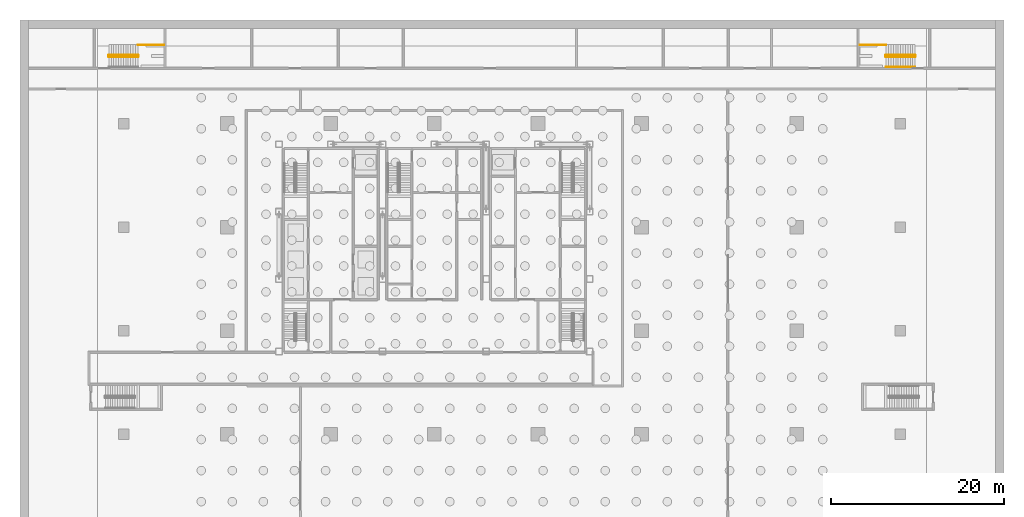
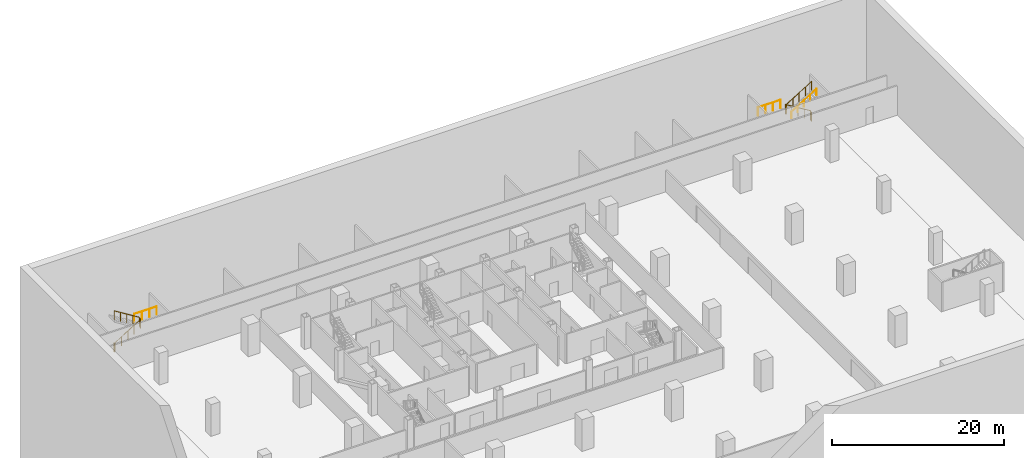
# One storey, part 17 of 18: 5 railings.
"""IFC4 building model written with IfcOpenShell, lengths in metres."""

from ifc_helpers import new_model, si_unit, direction, frame, origin, origin_2d, place, context, subcontext, project, spatial, circle, extrude, material, type_object, element, save


model = new_model("IFC4")

# Units and contexts
model_context = context("Model", 3, precision=1e-05, world=origin(), true_north=direction((0.0, 1.0)))
body_context = subcontext(model_context, "Body", "Model", "MODEL_VIEW")
ifc_project = project(units=[si_unit("LENGTHUNIT", "METRE"), si_unit("AREAUNIT", "SQUARE_METRE"), si_unit("VOLUMEUNIT", "CUBIC_METRE"), si_unit("PLANEANGLEUNIT", "RADIAN"), si_unit("MASSUNIT", "GRAM", prefix="KILO")], contexts=[model_context])

# Site, building, storey
site_placement = place(None, origin())
site = spatial("IfcSite", under=ifc_project, at=site_placement, CompositionType="ELEMENT")
building_placement = place(site_placement, origin())
building = spatial("IfcBuilding", under=site, at=building_placement, Name="Sorahane Residences", CompositionType="ELEMENT")
storey_placement = place(building_placement, frame((0.0, 0.0, -13.5)))
storey = spatial("IfcBuildingStorey", under=building, at=storey_placement, Name="B3", CompositionType="ELEMENT", Elevation=-13.5)

# Railings
ifc_material_1 = material(Name="Steel Q355B", Category="steel")
railing_type_1 = type_object("IfcRailingType", Name="Stair guard 1200 Steel Q355B", PredefinedType="GUARDRAIL", material=ifc_material_1)
railing_1_placement = place(storey_placement, frame((-13.75, 55.89990234375, 0.0)))
element("IfcRailing", 1, at=railing_1_placement, inside=storey, type_object=railing_type_1, Name="B3 BS1 stair guard 1", PredefinedType="GUARDRAIL", context=body_context, shape_type="SweptSolid", body=[
    extrude(circle(Radius=0.02392578125, at=origin_2d()), frame((0.0, 0.0, 1.23583984375), z_axis=(0.0, -1.0, 0.0), x_axis=(1.0, 0.0, 0.0)), (0.0, 0.0, 1.0), 0.14990234375),
    extrude(circle(Radius=0.02392578125, at=origin_2d()), frame((0.0, -0.14990234375, 1.23583984375), z_axis=(0.267629722418, -0.267629722418, 0.925607186314), x_axis=(0.707106781187, 0.707106781187, 0.0)), (0.0, 0.0, 1.0), 0.18701171875),
    extrude(circle(Radius=0.02392578125, at=origin_2d()), frame((0.050048828125, -0.199951171875, 1.4091796875), z_axis=(0.850606129759, 0.0, 0.525803396734), x_axis=(0.0, 1.0, 0.0)), (0.0, 0.0, 1.0), 3.949951171875),
    extrude(circle(Radius=0.02392578125, at=origin_2d()), frame((3.409912109375, -0.199951171875, 3.48583984375), z_axis=(0.707106781187, 0.707106781187, 0.0), x_axis=(-0.707106781187, 0.707106781187, 0.0)), (0.0, 0.0, 1.0), 0.07080078125),
    extrude(circle(Radius=0.02392578125, at=origin_2d()), frame((3.4599609375, -0.14990234375, 3.48583984375), z_axis=(0.0, 1.0, 0.0), x_axis=(-1.0, 0.0, 0.0)), (0.0, 0.0, 1.0), 0.14990234375),
    extrude(circle(Radius=0.02392578125, at=origin_2d()), frame((3.4599609375, 0.0, 3.48583984375), z_axis=(-0.267629722418, 0.267629722418, 0.925607186314), x_axis=(-0.707106781187, -0.707106781187, 0.0)), (0.0, 0.0, 1.0), 0.18701171875),
    extrude(circle(Radius=0.02392578125, at=origin_2d()), frame((3.409912109375, 0.050048828125, 3.6591796875), z_axis=(-0.850606129759, 0.0, 0.525803396734), x_axis=(0.0, -1.0, 0.0)), (0.0, 0.0, 1.0), 3.949951171875),
    extrude(circle(Radius=0.02099609375, at=origin_2d()), origin(), (0.0, 0.0, 1.0), 1.2119140625),
    extrude(circle(Radius=0.02099609375, at=origin_2d()), frame((0.0, -0.14990234375, 0.0)), (0.0, 0.0, 1.0), 1.2119140625),
    extrude(circle(Radius=0.02099609375, at=origin_2d()), frame((0.050048828125, -0.199951171875, 0.173095703125)), (0.0, 0.0, 1.0), 1.2119140625),
    extrude(circle(Radius=0.02099609375, at=origin_2d()), frame((0.89013671875, -0.199951171875, 0.6923828125)), (0.0, 0.0, 1.0), 1.2119140625),
    extrude(circle(Radius=0.02099609375, at=origin_2d()), frame((1.72998046875, -0.199951171875, 1.21142578125)), (0.0, 0.0, 1.0), 1.2119140625),
    extrude(circle(Radius=0.02099609375, at=origin_2d()), frame((2.56982421875, -0.199951171875, 1.730712890625)), (0.0, 0.0, 1.0), 1.2119140625),
    extrude(circle(Radius=0.02099609375, at=origin_2d()), frame((3.409912109375, -0.199951171875, 2.25)), (0.0, 0.0, 1.0), 1.2119140625),
    extrude(circle(Radius=0.02099609375, at=origin_2d()), frame((3.4599609375, -0.14990234375, 2.25)), (0.0, 0.0, 1.0), 1.2119140625),
    extrude(circle(Radius=0.02099609375, at=origin_2d()), frame((3.4599609375, 0.0, 2.25)), (0.0, 0.0, 1.0), 1.2119140625),
    extrude(circle(Radius=0.02099609375, at=origin_2d()), frame((3.409912109375, 0.050048828125, 2.423095703125)), (0.0, 0.0, 1.0), 1.2119140625),
    extrude(circle(Radius=0.02099609375, at=origin_2d()), frame((2.56982421875, 0.050048828125, 2.9423828125)), (0.0, 0.0, 1.0), 1.2119140625),
    extrude(circle(Radius=0.02099609375, at=origin_2d()), frame((1.72998046875, 0.050048828125, 3.46142578125)), (0.0, 0.0, 1.0), 1.2119140625),
    extrude(circle(Radius=0.02099609375, at=origin_2d()), frame((0.89013671875, 0.050048828125, 3.980712890625)), (0.0, 0.0, 1.0), 1.2119140625),
    extrude(circle(Radius=0.02099609375, at=origin_2d()), frame((0.050048828125, 0.050048828125, 4.5)), (0.0, 0.0, 1.0), 1.2119140625),
])
railing_2_placement = place(storey_placement, frame((-10.340087890625, 57.10009765625, 2.25)))
element("IfcRailing", 2, at=railing_2_placement, inside=storey, type_object=railing_type_1, Name="B3 Basement stair BS1 guard", PredefinedType="GUARDRAIL", context=body_context, shape_type="SweptSolid", body=[
    extrude(circle(Radius=0.02392578125, at=origin_2d()), frame((0.0, 0.0, 1.17578125), z_axis=(1.0, 0.0, 0.0), x_axis=(0.0, 1.0, 0.0)), (0.0, 0.0, 1.0), 3.0400390625),
    extrude(circle(Radius=0.02099609375, at=origin_2d()), origin(), (0.0, 0.0, 1.0), 1.15185546875),
    extrude(circle(Radius=0.02099609375, at=origin_2d()), frame((1.013427734375, 0.0, 0.0)), (0.0, 0.0, 1.0), 1.15185546875),
    extrude(circle(Radius=0.02099609375, at=origin_2d()), frame((2.026611328125, 0.0, 0.0)), (0.0, 0.0, 1.0), 1.15185546875),
    extrude(circle(Radius=0.02099609375, at=origin_2d()), frame((3.0400390625, 0.0, 0.0)), (0.0, 0.0, 1.0), 1.15185546875),
])
railing_3_placement = place(storey_placement, frame((79.75, 55.75, 0.0)))
element("IfcRailing", 3, at=railing_3_placement, inside=storey, type_object=railing_type_1, Name="B3 BS2 stair guard 1", PredefinedType="GUARDRAIL", context=body_context, shape_type="SweptSolid", body=[
    extrude(circle(Radius=0.02392578125, at=origin_2d()), frame((0.0, 0.0, 1.23583984375), z_axis=(0.0, 1.0, 0.0), x_axis=(-1.0, 0.0, 0.0)), (0.0, 0.0, 1.0), 0.14990234375),
    extrude(circle(Radius=0.02392578125, at=origin_2d()), frame((0.0, 0.14990234375, 1.23583984375), z_axis=(-0.267629722418, 0.267629722418, 0.925607186314), x_axis=(-0.707106781187, -0.707106781187, 0.0)), (0.0, 0.0, 1.0), 0.18701171875),
    extrude(circle(Radius=0.02392578125, at=origin_2d()), frame((-0.050048828125, 0.199951171875, 1.4091796875), z_axis=(-0.850606129759, 0.0, 0.525803396734), x_axis=(0.0, -1.0, 0.0)), (0.0, 0.0, 1.0), 3.949951171875),
    extrude(circle(Radius=0.02392578125, at=origin_2d()), frame((-3.409912109375, 0.199951171875, 3.48583984375), z_axis=(-0.707106781187, -0.707106781187, 0.0), x_axis=(0.707106781187, -0.707106781187, 0.0)), (0.0, 0.0, 1.0), 0.07080078125),
    extrude(circle(Radius=0.02392578125, at=origin_2d()), frame((-3.4599609375, 0.14990234375, 3.48583984375), z_axis=(0.0, -1.0, 0.0), x_axis=(1.0, 0.0, 0.0)), (0.0, 0.0, 1.0), 0.14990234375),
    extrude(circle(Radius=0.02392578125, at=origin_2d()), frame((-3.4599609375, 0.0, 3.48583984375), z_axis=(0.267629722418, -0.267629722418, 0.925607186314), x_axis=(0.707106781187, 0.707106781187, 0.0)), (0.0, 0.0, 1.0), 0.18701171875),
    extrude(circle(Radius=0.02392578125, at=origin_2d()), frame((-3.409912109375, -0.050048828125, 3.6591796875), z_axis=(0.850606129759, 0.0, 0.525803396734), x_axis=(0.0, 1.0, 0.0)), (0.0, 0.0, 1.0), 3.949951171875),
    extrude(circle(Radius=0.02099609375, at=origin_2d()), origin(), (0.0, 0.0, 1.0), 1.2119140625),
    extrude(circle(Radius=0.02099609375, at=origin_2d()), frame((0.0, 0.14990234375, 0.0)), (0.0, 0.0, 1.0), 1.2119140625),
    extrude(circle(Radius=0.02099609375, at=origin_2d()), frame((-0.050048828125, 0.199951171875, 0.173095703125)), (0.0, 0.0, 1.0), 1.2119140625),
    extrude(circle(Radius=0.02099609375, at=origin_2d()), frame((-0.89013671875, 0.199951171875, 0.6923828125)), (0.0, 0.0, 1.0), 1.2119140625),
    extrude(circle(Radius=0.02099609375, at=origin_2d()), frame((-1.72998046875, 0.199951171875, 1.21142578125)), (0.0, 0.0, 1.0), 1.2119140625),
    extrude(circle(Radius=0.02099609375, at=origin_2d()), frame((-2.56982421875, 0.199951171875, 1.730712890625)), (0.0, 0.0, 1.0), 1.2119140625),
    extrude(circle(Radius=0.02099609375, at=origin_2d()), frame((-3.409912109375, 0.199951171875, 2.25)), (0.0, 0.0, 1.0), 1.2119140625),
    extrude(circle(Radius=0.02099609375, at=origin_2d()), frame((-3.4599609375, 0.14990234375, 2.25)), (0.0, 0.0, 1.0), 1.2119140625),
    extrude(circle(Radius=0.02099609375, at=origin_2d()), frame((-3.4599609375, 0.0, 2.25)), (0.0, 0.0, 1.0), 1.2119140625),
    extrude(circle(Radius=0.02099609375, at=origin_2d()), frame((-3.409912109375, -0.050048828125, 2.423095703125)), (0.0, 0.0, 1.0), 1.2119140625),
    extrude(circle(Radius=0.02099609375, at=origin_2d()), frame((-2.56982421875, -0.050048828125, 2.9423828125)), (0.0, 0.0, 1.0), 1.2119140625),
    extrude(circle(Radius=0.02099609375, at=origin_2d()), frame((-1.72998046875, -0.050048828125, 3.46142578125)), (0.0, 0.0, 1.0), 1.2119140625),
    extrude(circle(Radius=0.02099609375, at=origin_2d()), frame((-0.89013671875, -0.050048828125, 3.980712890625)), (0.0, 0.0, 1.0), 1.2119140625),
    extrude(circle(Radius=0.02099609375, at=origin_2d()), frame((-0.050048828125, -0.050048828125, 4.5)), (0.0, 0.0, 1.0), 1.2119140625),
])
railing_4_placement = place(storey_placement, frame((73.300048828125, 57.10009765625, 2.25)))
element("IfcRailing", 4, at=railing_4_placement, inside=storey, type_object=railing_type_1, Name="B3 Basement stair BS2 guard", PredefinedType="GUARDRAIL", context=body_context, shape_type="SweptSolid", body=[
    extrude(circle(Radius=0.02392578125, at=origin_2d()), frame((0.0, 0.0, 1.17578125), z_axis=(1.0, 0.0, 0.0), x_axis=(0.0, 1.0, 0.0)), (0.0, 0.0, 1.0), 3.0400390625),
    extrude(circle(Radius=0.02099609375, at=origin_2d()), origin(), (0.0, 0.0, 1.0), 1.15185546875),
    extrude(circle(Radius=0.02099609375, at=origin_2d()), frame((1.013427734375, 0.0, 0.0)), (0.0, 0.0, 1.0), 1.15185546875),
    extrude(circle(Radius=0.02099609375, at=origin_2d()), frame((2.026611328125, 0.0, 0.0)), (0.0, 0.0, 1.0), 1.15185546875),
    extrude(circle(Radius=0.02099609375, at=origin_2d()), frame((3.0400390625, 0.0, 0.0)), (0.0, 0.0, 1.0), 1.15185546875),
])
ifc_material_2 = material(Name="Steel Q355B", Category="steel")
railing_type_2 = type_object("IfcRailingType", Name="Stair handrail 900 Steel Q355B", PredefinedType="HANDRAIL", material=ifc_material_2)
railing_5_placement = place(storey_placement, frame((76.340087890625, 54.550048828125, 2.423095703125)))
element("IfcRailing", 5, at=railing_5_placement, inside=storey, type_object=railing_type_2, Name="B3 BS2 stair handrail 1", PredefinedType="HANDRAIL", context=body_context, shape_type="SweptSolid", body=[
    extrude(circle(Radius=0.02392578125, at=origin_2d()), frame((0.0, 0.0, 0.8759765625), z_axis=(0.850606129759, 0.0, 0.525803396734), x_axis=(0.0, 1.0, 0.0)), (0.0, 0.0, 1.0), 3.949951171875),
    extrude(circle(Radius=0.02099609375, at=origin_2d()), origin(), (0.0, 0.0, 1.0), 0.851806640625),
    extrude(circle(Radius=0.02099609375, at=origin_2d()), frame((0.83984375, 0.0, 0.519287109375)), (0.0, 0.0, 1.0), 0.851806640625),
    extrude(circle(Radius=0.02099609375, at=origin_2d()), frame((1.679931640625, 0.0, 1.03857421875)), (0.0, 0.0, 1.0), 0.851806640625),
    extrude(circle(Radius=0.02099609375, at=origin_2d()), frame((2.52001953125, 0.0, 1.5576171875)), (0.0, 0.0, 1.0), 0.851806640625),
    extrude(circle(Radius=0.02099609375, at=origin_2d()), frame((3.35986328125, 0.0, 2.076904296875)), (0.0, 0.0, 1.0), 0.851806640625),
])

save(model, "model.ifc")
